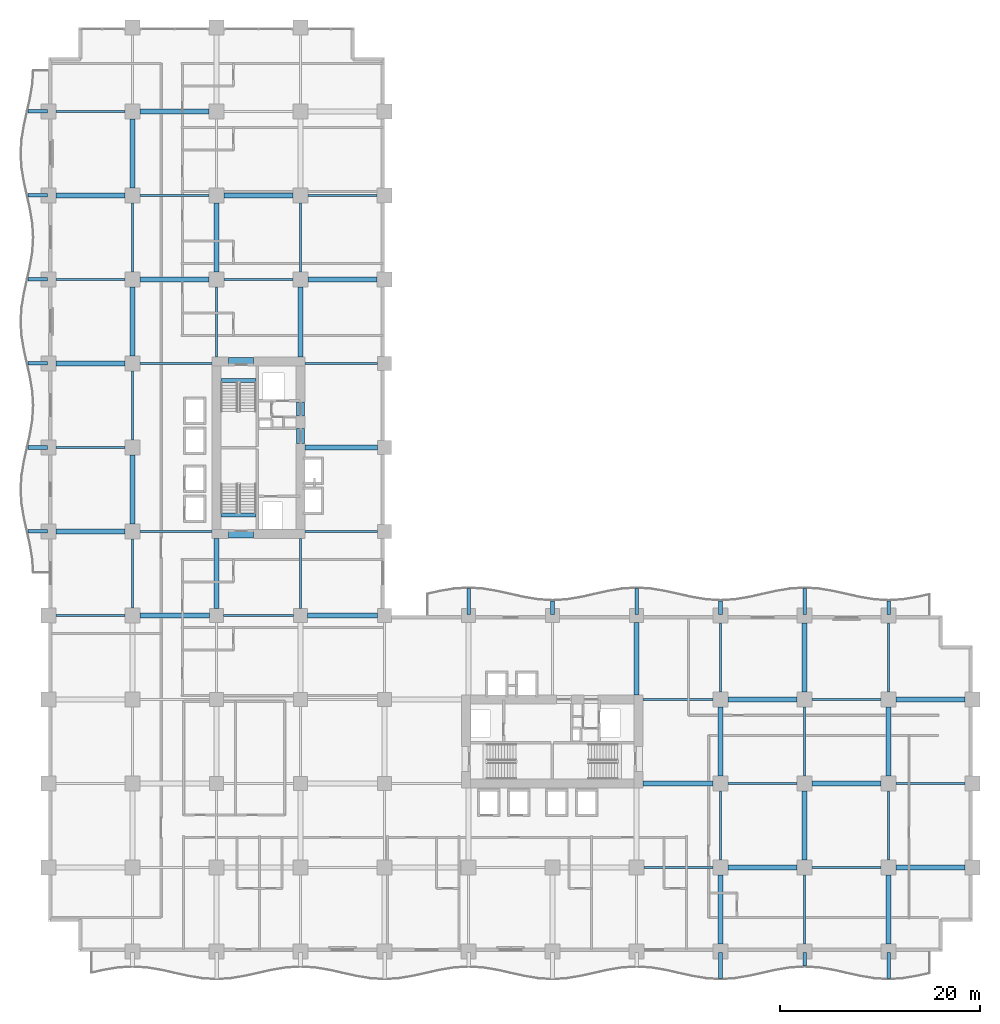
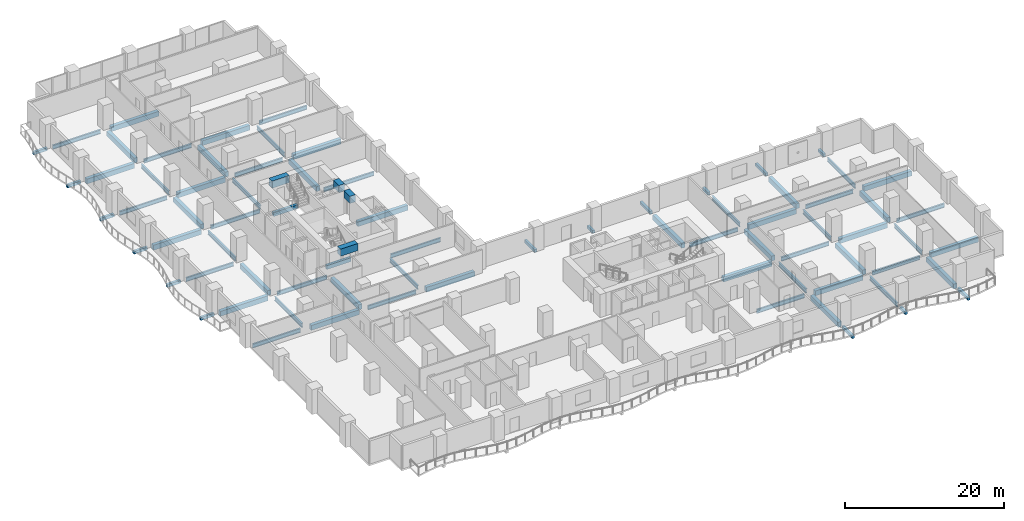
# One storey, part 2 of 22: 80 beams.
"""IFC4 building model written with IfcOpenShell, lengths in metres."""

from ifc_helpers import new_model, si_unit, direction, frame, origin, origin_2d, place, context, subcontext, project, spatial, rectangle, i_section, extrude, material, material_profile, profile_set, type_object, element, save


model = new_model("IFC4")

# Units and contexts
model_context = context("Model", 3, precision=1e-05, world=origin(), true_north=direction((0.0, 1.0)))
body_context = subcontext(model_context, "Body", "Model", "MODEL_VIEW")
ifc_project = project(units=[si_unit("LENGTHUNIT", "METRE"), si_unit("AREAUNIT", "SQUARE_METRE"), si_unit("VOLUMEUNIT", "CUBIC_METRE"), si_unit("PLANEANGLEUNIT", "RADIAN"), si_unit("MASSUNIT", "GRAM", prefix="KILO")], contexts=[model_context])

# Site, building, storey
site_placement = place(None, origin())
site = spatial("IfcSite", under=ifc_project, at=site_placement, CompositionType="ELEMENT")
building_placement = place(site_placement, origin())
building = spatial("IfcBuilding", under=site, at=building_placement, Name="Koriwani Terraces Tower", CompositionType="ELEMENT")
storey_placement = place(building_placement, frame((0.0, 0.0, 62.39990234375)))
storey = spatial("IfcBuildingStorey", under=building, at=storey_placement, Name="L14", CompositionType="ELEMENT", Elevation=62.39990234375)

# Beams
ifc_material_1 = material(Name="Concrete C40/50", Category="concrete")
ifc_material_profile_1 = material_profile(ifc_material_1, rectangle(XDim=0.35009765625, YDim=0.449951171875, at=origin_2d()), Name="Concrete C40/50", Category="LoadBearing")
ifc_profile_set_1 = profile_set([ifc_material_profile_1], Name="Concrete C40/50")
beam_type_1 = type_object("IfcBeamType", Name="BEAM_RC_BALCONY_RIB_350X450", PredefinedType="JOIST", material=ifc_profile_set_1)
beam_1_placement = place(storey_placement, frame((67.199951171875, -2.699951171875, -0.474853515625), z_axis=(0.0, 1.0, 0.0), x_axis=(-1.0, 0.0, 0.0)))
element("IfcBeam", 1, at=beam_1_placement, inside=storey, type_object=beam_type_1, Name="L14 Balcony Bracket Rib S-8", PredefinedType="JOIST", context=body_context, shape_type="SweptSolid", body=[
    extrude(rectangle(XDim=0.35009765625, YDim=0.449951171875, at=origin_2d()), origin(), (0.0, 0.0, 1.0), 2.599853515625),
])
beam_2_placement = place(storey_placement, frame((75.60009765625, -1.449951171875, -0.474853515625), z_axis=(0.0, 1.0, 0.0), x_axis=(-1.0, 0.0, 0.0)))
element("IfcBeam", 2, at=beam_2_placement, inside=storey, type_object=beam_type_1, Name="L14 Balcony Bracket Rib S-9", PredefinedType="JOIST", context=body_context, shape_type="SweptSolid", body=[
    extrude(rectangle(XDim=0.35009765625, YDim=0.449951171875, at=origin_2d()), origin(), (0.0, 0.0, 1.0), 1.349853515625),
])
beam_3_placement = place(storey_placement, frame((84.0, -2.699951171875, -0.474853515625), z_axis=(0.0, 1.0, 0.0), x_axis=(-1.0, 0.0, 0.0)))
element("IfcBeam", 3, at=beam_3_placement, inside=storey, type_object=beam_type_1, Name="L14 Balcony Bracket Rib S-10", PredefinedType="JOIST", context=body_context, shape_type="SweptSolid", body=[
    extrude(rectangle(XDim=0.35009765625, YDim=0.449951171875, at=origin_2d()), origin(), (0.0, 0.0, 1.0), 2.599853515625),
])
for number, where, z_axis, x_axis, name in (
    (4, (-2.074951171875, 42.0, -0.474853515625), (1.0, 0.0, 0.0), (0.0, 1.0, 0.0), "L14 Balcony Bracket Rib W-1"),
    (5, (-2.074951171875, 50.39990234375, -0.474853515625), (1.0, 0.0, 0.0), (0.0, 1.0, 0.0), "L14 Balcony Bracket Rib W-2"),
    (6, (-2.074951171875, 58.800048828125, -0.474853515625), (1.0, 0.0, 0.0), (0.0, 1.0, 0.0), "L14 Balcony Bracket Rib W-3"),
    (7, (-2.074951171875, 67.199951171875, -0.474853515625), (1.0, 0.0, 0.0), (0.0, 1.0, 0.0), "L14 Balcony Bracket Rib W-4"),
    (8, (-2.074951171875, 75.60009765625, -0.474853515625), (1.0, 0.0, 0.0), (0.0, 1.0, 0.0), "L14 Balcony Bracket Rib W-5"),
    (9, (-2.074951171875, 84.0, -0.474853515625), (1.0, 0.0, 0.0), (0.0, 1.0, 0.0), "L14 Balcony Bracket Rib W-6"),
):
    element("IfcBeam", number, at=place(storey_placement, frame(where, z_axis=z_axis, x_axis=x_axis)), inside=storey, type_object=beam_type_1, Name=name, PredefinedType="JOIST", context=body_context, shape_type="SweptSolid", body=[
        extrude(rectangle(XDim=0.35009765625, YDim=0.449951171875, at=origin_2d()), origin(), (0.0, 0.0, 1.0), 1.974853515625),
    ])
beam_4_placement = place(storey_placement, frame((42.0, 33.699951171875, -0.474853515625), z_axis=(0.0, 1.0, 0.0), x_axis=(-1.0, 0.0, 0.0)))
element("IfcBeam", 10, at=beam_4_placement, inside=storey, type_object=beam_type_1, Name="L14 Balcony Bracket Rib NE-1", PredefinedType="JOIST", context=body_context, shape_type="SweptSolid", body=[
    extrude(rectangle(XDim=0.35009765625, YDim=0.449951171875, at=origin_2d()), origin(), (0.0, 0.0, 1.0), 2.60009765625),
])
beam_5_placement = place(storey_placement, frame((50.39990234375, 33.699951171875, -0.474853515625), z_axis=(0.0, 1.0, 0.0), x_axis=(-1.0, 0.0, 0.0)))
element("IfcBeam", 11, at=beam_5_placement, inside=storey, type_object=beam_type_1, Name="L14 Balcony Bracket Rib NE-2", PredefinedType="JOIST", context=body_context, shape_type="SweptSolid", body=[
    extrude(rectangle(XDim=0.35009765625, YDim=0.449951171875, at=origin_2d()), origin(), (0.0, 0.0, 1.0), 1.35009765625),
])
beam_6_placement = place(storey_placement, frame((58.800048828125, 33.699951171875, -0.474853515625), z_axis=(0.0, 1.0, 0.0), x_axis=(-1.0, 0.0, 0.0)))
element("IfcBeam", 12, at=beam_6_placement, inside=storey, type_object=beam_type_1, Name="L14 Balcony Bracket Rib NE-3", PredefinedType="JOIST", context=body_context, shape_type="SweptSolid", body=[
    extrude(rectangle(XDim=0.35009765625, YDim=0.449951171875, at=origin_2d()), origin(), (0.0, 0.0, 1.0), 2.60009765625),
])
beam_7_placement = place(storey_placement, frame((67.199951171875, 33.699951171875, -0.474853515625), z_axis=(0.0, 1.0, 0.0), x_axis=(-1.0, 0.0, 0.0)))
element("IfcBeam", 13, at=beam_7_placement, inside=storey, type_object=beam_type_1, Name="L14 Balcony Bracket Rib NE-4", PredefinedType="JOIST", context=body_context, shape_type="SweptSolid", body=[
    extrude(rectangle(XDim=0.35009765625, YDim=0.449951171875, at=origin_2d()), origin(), (0.0, 0.0, 1.0), 1.35009765625),
])
beam_8_placement = place(storey_placement, frame((75.60009765625, 33.699951171875, -0.474853515625), z_axis=(0.0, 1.0, 0.0), x_axis=(-1.0, 0.0, 0.0)))
element("IfcBeam", 14, at=beam_8_placement, inside=storey, type_object=beam_type_1, Name="L14 Balcony Bracket Rib NE-5", PredefinedType="JOIST", context=body_context, shape_type="SweptSolid", body=[
    extrude(rectangle(XDim=0.35009765625, YDim=0.449951171875, at=origin_2d()), origin(), (0.0, 0.0, 1.0), 2.60009765625),
])
beam_9_placement = place(storey_placement, frame((84.0, 33.699951171875, -0.474853515625), z_axis=(0.0, 1.0, 0.0), x_axis=(-1.0, 0.0, 0.0)))
element("IfcBeam", 15, at=beam_9_placement, inside=storey, type_object=beam_type_1, Name="L14 Balcony Bracket Rib NE-6", PredefinedType="JOIST", context=body_context, shape_type="SweptSolid", body=[
    extrude(rectangle(XDim=0.35009765625, YDim=0.449951171875, at=origin_2d()), origin(), (0.0, 0.0, 1.0), 1.35009765625),
])
ifc_material_2 = material(Name="Concrete C60/75", Category="concrete")
ifc_material_profile_2 = material_profile(ifc_material_2, rectangle(XDim=0.800048828125, YDim=1.10009765625, at=origin_2d()), Name="Concrete C60/75", Category="LoadBearing")
ifc_profile_set_2 = profile_set([ifc_material_profile_2], Name="Concrete C60/75")
beam_type_2 = type_object("IfcBeamType", Name="BEAM_RC_COUPLING_800X1100", PredefinedType="LINTEL", material=ifc_profile_set_2)
beam_10_placement = place(storey_placement, frame((25.199951171875, 50.800048828125, 3.0), z_axis=(0.0, 1.0, 0.0), x_axis=(-1.0, 0.0, 0.0)))
element("IfcBeam", 16, at=beam_10_placement, inside=storey, type_object=beam_type_2, Name="L14 Core Coupling Lintel Beam WE1", PredefinedType="LINTEL", context=body_context, shape_type="SweptSolid", body=[
    extrude(rectangle(XDim=0.800048828125, YDim=1.10009765625, at=origin_2d()), origin(), (0.0, 0.0, 1.0), 1.47998046875),
])
beam_11_placement = place(storey_placement, frame((25.199951171875, 53.550048828125, 3.0), z_axis=(0.0, 1.0, 0.0), x_axis=(-1.0, 0.0, 0.0)))
element("IfcBeam", 17, at=beam_11_placement, inside=storey, type_object=beam_type_2, Name="L14 Core Coupling Lintel Beam WE2", PredefinedType="LINTEL", context=body_context, shape_type="SweptSolid", body=[
    extrude(rectangle(XDim=0.800048828125, YDim=1.10009765625, at=origin_2d()), origin(), (0.0, 0.0, 1.0), 1.39990234375),
])
for number, where, z_axis, x_axis, name in (
    (18, (18.0, 41.75, 3.0), (1.0, 0.0, 0.0), (0.0, 1.0, 0.0), "L14 Core Coupling Lintel Beam WS"),
    (19, (18.0, 59.0, 3.0), (1.0, 0.0, 0.0), (0.0, 1.0, 0.0), "L14 Core Coupling Lintel Beam WN"),
):
    element("IfcBeam", number, at=place(storey_placement, frame(where, z_axis=z_axis, x_axis=x_axis)), inside=storey, type_object=beam_type_2, Name=name, PredefinedType="LINTEL", context=body_context, shape_type="SweptSolid", body=[
        extrude(rectangle(XDim=0.800048828125, YDim=1.10009765625, at=origin_2d()), origin(), (0.0, 0.0, 1.0), 2.5),
    ])
ifc_material_profile_3 = material_profile(ifc_material_1, rectangle(XDim=0.39990234375, YDim=0.60009765625, at=origin_2d()), Name="Concrete C40/50", Category="LoadBearing")
ifc_profile_set_3 = profile_set([ifc_material_profile_3], Name="Concrete C40/50")
beam_type_3 = type_object("IfcBeamType", Name="BEAM_RC_GRID_400X600", PredefinedType="BEAM", material=ifc_profile_set_3)
for number, where, z_axis, x_axis, name in (
    (20, (17.25, 43.655029296875, -0.2998046875), (1.0, 0.0, 0.0), (0.0, 1.0, 0.0), "L14 Stairwell Header Trimmer Beam ST-W1"),
    (21, (17.25, 57.094970703125, -0.2998046875), (1.0, 0.0, 0.0), (0.0, 1.0, 0.0), "L14 Stairwell Header Trimmer Beam ST-W2"),
):
    element("IfcBeam", number, at=place(storey_placement, frame(where, z_axis=z_axis, x_axis=x_axis)), inside=storey, type_object=beam_type_3, Name=name, PredefinedType="BEAM", context=body_context, shape_type="SweptSolid", body=[
        extrude(rectangle(XDim=0.39990234375, YDim=0.60009765625, at=origin_2d()), origin(), (0.0, 0.0, 1.0), 3.5),
    ])
ifc_material_3 = material(Name="Concrete C50/60", Category="concrete")
ifc_material_profile_4 = material_profile(ifc_material_3, rectangle(XDim=0.5, YDim=0.75, at=origin_2d()), Name="Concrete C50/60", Category="LoadBearing")
ifc_profile_set_4 = profile_set([ifc_material_profile_4], Name="Concrete C50/60")
beam_type_4 = type_object("IfcBeamType", Name="BEAM_RC_GRID_500X750", PredefinedType="BEAM", material=ifc_profile_set_4)
beam_12_placement = place(storey_placement, frame((67.929931640625, 8.39990234375, -0.625), z_axis=(1.0, 0.0, 0.0), x_axis=(0.0, 1.0, 0.0)))
element("IfcBeam", 22, at=beam_12_placement, inside=storey, type_object=beam_type_4, Name="L14 Grid Beam B (67.2-75.6m)", PredefinedType="BEAM", context=body_context, shape_type="SweptSolid", body=[
    extrude(rectangle(XDim=0.5, YDim=0.75, at=origin_2d()), origin(), (0.0, 0.0, 1.0), 6.940185546875),
])
beam_13_placement = place(storey_placement, frame((84.72998046875, 8.39990234375, -0.625), z_axis=(1.0, 0.0, 0.0), x_axis=(0.0, 1.0, 0.0)))
element("IfcBeam", 23, at=beam_13_placement, inside=storey, type_object=beam_type_4, Name="L14 Grid Beam B (84.0-92.4m)", PredefinedType="BEAM", context=body_context, shape_type="SweptSolid", body=[
    extrude(rectangle(XDim=0.5, YDim=0.75, at=origin_2d()), origin(), (0.0, 0.0, 1.0), 6.93994140625),
])
beam_14_placement = place(storey_placement, frame((59.429931640625, 16.800048828125, -0.625), z_axis=(1.0, 0.0, 0.0), x_axis=(0.0, 1.0, 0.0)))
element("IfcBeam", 24, at=beam_14_placement, inside=storey, type_object=beam_type_4, Name="L14 Grid Beam C (58.8-67.2m)", PredefinedType="BEAM", context=body_context, shape_type="SweptSolid", body=[
    extrude(rectangle(XDim=0.5, YDim=0.75, at=origin_2d()), origin(), (0.0, 0.0, 1.0), 7.0400390625),
])
beam_15_placement = place(storey_placement, frame((76.330078125, 16.800048828125, -0.625), z_axis=(1.0, 0.0, 0.0), x_axis=(0.0, 1.0, 0.0)))
element("IfcBeam", 25, at=beam_15_placement, inside=storey, type_object=beam_type_4, Name="L14 Grid Beam C (75.6-84.0m)", PredefinedType="BEAM", context=body_context, shape_type="SweptSolid", body=[
    extrude(rectangle(XDim=0.5, YDim=0.75, at=origin_2d()), origin(), (0.0, 0.0, 1.0), 6.93994140625),
])
beam_16_placement = place(storey_placement, frame((67.929931640625, 25.199951171875, -0.625), z_axis=(1.0, 0.0, 0.0), x_axis=(0.0, 1.0, 0.0)))
element("IfcBeam", 26, at=beam_16_placement, inside=storey, type_object=beam_type_4, Name="L14 Grid Beam D (67.2-75.6m)", PredefinedType="BEAM", context=body_context, shape_type="SweptSolid", body=[
    extrude(rectangle(XDim=0.5, YDim=0.75, at=origin_2d()), origin(), (0.0, 0.0, 1.0), 6.940185546875),
])
beam_17_placement = place(storey_placement, frame((84.72998046875, 25.199951171875, -0.625), z_axis=(1.0, 0.0, 0.0), x_axis=(0.0, 1.0, 0.0)))
element("IfcBeam", 27, at=beam_17_placement, inside=storey, type_object=beam_type_4, Name="L14 Grid Beam D (84.0-92.4m)", PredefinedType="BEAM", context=body_context, shape_type="SweptSolid", body=[
    extrude(rectangle(XDim=0.5, YDim=0.75, at=origin_2d()), origin(), (0.0, 0.0, 1.0), 6.93994140625),
])
beam_18_placement = place(storey_placement, frame((9.1298828125, 33.60009765625, -0.625), z_axis=(1.0, 0.0, 0.0), x_axis=(0.0, 1.0, 0.0)))
element("IfcBeam", 28, at=beam_18_placement, inside=storey, type_object=beam_type_4, Name="L14 Grid Beam E (8.4-16.8m)", PredefinedType="BEAM", context=body_context, shape_type="SweptSolid", body=[
    extrude(rectangle(XDim=0.5, YDim=0.75, at=origin_2d()), origin(), (0.0, 0.0, 1.0), 6.990234375),
])
beam_19_placement = place(storey_placement, frame((25.8798828125, 33.60009765625, -0.625), z_axis=(1.0, 0.0, 0.0), x_axis=(0.0, 1.0, 0.0)))
element("IfcBeam", 29, at=beam_19_placement, inside=storey, type_object=beam_type_4, Name="L14 Grid Beam E (25.2-33.6m)", PredefinedType="BEAM", context=body_context, shape_type="SweptSolid", body=[
    extrude(rectangle(XDim=0.5, YDim=0.75, at=origin_2d()), origin(), (0.0, 0.0, 1.0), 7.0400390625),
])
beam_20_placement = place(storey_placement, frame((0.72998046875, 42.0, -0.625), z_axis=(1.0, 0.0, 0.0), x_axis=(0.0, 1.0, 0.0)))
element("IfcBeam", 30, at=beam_20_placement, inside=storey, type_object=beam_type_4, Name="L14 Grid Beam F (0.0-8.4m)", PredefinedType="BEAM", context=body_context, shape_type="SweptSolid", body=[
    extrude(rectangle(XDim=0.5, YDim=0.75, at=origin_2d()), origin(), (0.0, 0.0, 1.0), 6.93994140625),
])
beam_21_placement = place(storey_placement, frame((25.6298828125, 50.39990234375, -0.625), z_axis=(1.0, 0.0, 0.0), x_axis=(0.0, 1.0, 0.0)))
element("IfcBeam", 31, at=beam_21_placement, inside=storey, type_object=beam_type_4, Name="L14 Grid Beam G (25.2-33.6m)", PredefinedType="BEAM", context=body_context, shape_type="SweptSolid", body=[
    extrude(rectangle(XDim=0.5, YDim=0.75, at=origin_2d()), origin(), (0.0, 0.0, 1.0), 7.2900390625),
])
beam_22_placement = place(storey_placement, frame((0.72998046875, 58.800048828125, -0.625), z_axis=(1.0, 0.0, 0.0), x_axis=(0.0, 1.0, 0.0)))
element("IfcBeam", 32, at=beam_22_placement, inside=storey, type_object=beam_type_4, Name="L14 Grid Beam H (0.0-8.4m)", PredefinedType="BEAM", context=body_context, shape_type="SweptSolid", body=[
    extrude(rectangle(XDim=0.5, YDim=0.75, at=origin_2d()), origin(), (0.0, 0.0, 1.0), 6.93994140625),
])
for number, where, z_axis, x_axis, name in (
    (33, (9.1298828125, 67.199951171875, -0.625), (1.0, 0.0, 0.0), (0.0, 1.0, 0.0), "L14 Grid Beam I (8.4-16.8m)"),
    (34, (25.929931640625, 67.199951171875, -0.625), (1.0, 0.0, 0.0), (0.0, 1.0, 0.0), "L14 Grid Beam I (25.2-33.6m)"),
):
    element("IfcBeam", number, at=place(storey_placement, frame(where, z_axis=z_axis, x_axis=x_axis)), inside=storey, type_object=beam_type_4, Name=name, PredefinedType="BEAM", context=body_context, shape_type="SweptSolid", body=[
        extrude(rectangle(XDim=0.5, YDim=0.75, at=origin_2d()), origin(), (0.0, 0.0, 1.0), 6.940185546875),
    ])
for number, where, z_axis, x_axis, name in (
    (35, (0.72998046875, 75.60009765625, -0.625), (1.0, 0.0, 0.0), (0.0, 1.0, 0.0), "L14 Grid Beam J (0.0-8.4m)"),
    (36, (17.530029296875, 75.60009765625, -0.625), (1.0, 0.0, 0.0), (0.0, 1.0, 0.0), "L14 Grid Beam J (16.8-25.2m)"),
):
    element("IfcBeam", number, at=place(storey_placement, frame(where, z_axis=z_axis, x_axis=x_axis)), inside=storey, type_object=beam_type_4, Name=name, PredefinedType="BEAM", context=body_context, shape_type="SweptSolid", body=[
        extrude(rectangle(XDim=0.5, YDim=0.75, at=origin_2d()), origin(), (0.0, 0.0, 1.0), 6.93994140625),
    ])
beam_23_placement = place(storey_placement, frame((9.1298828125, 84.0, -0.625), z_axis=(1.0, 0.0, 0.0), x_axis=(0.0, 1.0, 0.0)))
element("IfcBeam", 37, at=beam_23_placement, inside=storey, type_object=beam_type_4, Name="L14 Grid Beam K (8.4-16.8m)", PredefinedType="BEAM", context=body_context, shape_type="SweptSolid", body=[
    extrude(rectangle(XDim=0.5, YDim=0.75, at=origin_2d()), origin(), (0.0, 0.0, 1.0), 6.940185546875),
])
for number, where, z_axis, x_axis, name in (
    (38, (8.39990234375, 42.72998046875, -0.625), (0.0, 1.0, 0.0), (-1.0, 0.0, 0.0), "L14 Grid Beam 2 (42.0-50.4m)"),
    (39, (8.39990234375, 59.530029296875, -0.625), (0.0, 1.0, 0.0), (-1.0, 0.0, 0.0), "L14 Grid Beam 2 (58.8-67.2m)"),
    (40, (8.39990234375, 76.330078125, -0.625), (0.0, 1.0, 0.0), (-1.0, 0.0, 0.0), "L14 Grid Beam 2 (75.6-84.0m)"),
):
    element("IfcBeam", number, at=place(storey_placement, frame(where, z_axis=z_axis, x_axis=x_axis)), inside=storey, type_object=beam_type_4, Name=name, PredefinedType="BEAM", context=body_context, shape_type="SweptSolid", body=[
        extrude(rectangle(XDim=0.5, YDim=0.75, at=origin_2d()), origin(), (0.0, 0.0, 1.0), 6.93994140625),
    ])
beam_24_placement = place(storey_placement, frame((16.800048828125, 34.280029296875, -0.625), z_axis=(0.0, 1.0, 0.0), x_axis=(-1.0, 0.0, 0.0)))
element("IfcBeam", 41, at=beam_24_placement, inside=storey, type_object=beam_type_4, Name="L14 Grid Beam 3 (33.6-42.0m)", PredefinedType="BEAM", context=body_context, shape_type="SweptSolid", body=[
    extrude(rectangle(XDim=0.5, YDim=0.75, at=origin_2d()), origin(), (0.0, 0.0, 1.0), 7.0400390625),
])
beam_25_placement = place(storey_placement, frame((16.800048828125, 67.929931640625, -0.625), z_axis=(0.0, 1.0, 0.0), x_axis=(-1.0, 0.0, 0.0)))
element("IfcBeam", 42, at=beam_25_placement, inside=storey, type_object=beam_type_4, Name="L14 Grid Beam 3 (67.2-75.6m)", PredefinedType="BEAM", context=body_context, shape_type="SweptSolid", body=[
    extrude(rectangle(XDim=0.5, YDim=0.75, at=origin_2d()), origin(), (0.0, 0.0, 1.0), 6.940185546875),
])
beam_26_placement = place(storey_placement, frame((25.199951171875, 59.429931640625, -0.625), z_axis=(0.0, 1.0, 0.0), x_axis=(-1.0, 0.0, 0.0)))
element("IfcBeam", 43, at=beam_26_placement, inside=storey, type_object=beam_type_4, Name="L14 Grid Beam 4 (58.8-67.2m)", PredefinedType="BEAM", context=body_context, shape_type="SweptSolid", body=[
    extrude(rectangle(XDim=0.5, YDim=0.75, at=origin_2d()), origin(), (0.0, 0.0, 1.0), 7.0400390625),
])
beam_27_placement = place(storey_placement, frame((58.800048828125, 25.6298828125, -0.625), z_axis=(0.0, 1.0, 0.0), x_axis=(-1.0, 0.0, 0.0)))
element("IfcBeam", 44, at=beam_27_placement, inside=storey, type_object=beam_type_4, Name="L14 Grid Beam 8 (25.2-33.6m)", PredefinedType="BEAM", context=body_context, shape_type="SweptSolid", body=[
    extrude(rectangle(XDim=0.5, YDim=0.75, at=origin_2d()), origin(), (0.0, 0.0, 1.0), 7.2900390625),
])
for number, where, z_axis, x_axis, name in (
    (45, (67.199951171875, 0.72998046875, -0.625), (0.0, 1.0, 0.0), (-1.0, 0.0, 0.0), "L14 Grid Beam 9 (0.0-8.4m)"),
    (46, (67.199951171875, 17.530029296875, -0.625), (0.0, 1.0, 0.0), (-1.0, 0.0, 0.0), "L14 Grid Beam 9 (16.8-25.2m)"),
):
    element("IfcBeam", number, at=place(storey_placement, frame(where, z_axis=z_axis, x_axis=x_axis)), inside=storey, type_object=beam_type_4, Name=name, PredefinedType="BEAM", context=body_context, shape_type="SweptSolid", body=[
        extrude(rectangle(XDim=0.5, YDim=0.75, at=origin_2d()), origin(), (0.0, 0.0, 1.0), 6.93994140625),
    ])
for number, where, z_axis, x_axis, name in (
    (47, (75.60009765625, 9.1298828125, -0.625), (0.0, 1.0, 0.0), (-1.0, 0.0, 0.0), "L14 Grid Beam 10 (8.4-16.8m)"),
    (48, (75.60009765625, 25.929931640625, -0.625), (0.0, 1.0, 0.0), (-1.0, 0.0, 0.0), "L14 Grid Beam 10 (25.2-33.6m)"),
):
    element("IfcBeam", number, at=place(storey_placement, frame(where, z_axis=z_axis, x_axis=x_axis)), inside=storey, type_object=beam_type_4, Name=name, PredefinedType="BEAM", context=body_context, shape_type="SweptSolid", body=[
        extrude(rectangle(XDim=0.5, YDim=0.75, at=origin_2d()), origin(), (0.0, 0.0, 1.0), 6.940185546875),
    ])
for number, where, z_axis, x_axis, name in (
    (49, (84.0, 0.72998046875, -0.625), (0.0, 1.0, 0.0), (-1.0, 0.0, 0.0), "L14 Grid Beam 11 (0.0-8.4m)"),
    (50, (84.0, 17.530029296875, -0.625), (0.0, 1.0, 0.0), (-1.0, 0.0, 0.0), "L14 Grid Beam 11 (16.8-25.2m)"),
):
    element("IfcBeam", number, at=place(storey_placement, frame(where, z_axis=z_axis, x_axis=x_axis)), inside=storey, type_object=beam_type_4, Name=name, PredefinedType="BEAM", context=body_context, shape_type="SweptSolid", body=[
        extrude(rectangle(XDim=0.5, YDim=0.75, at=origin_2d()), origin(), (0.0, 0.0, 1.0), 6.93994140625),
    ])
ifc_material_4 = material(Name="Steel ASTM A572 Grade 50", Category="steel")
ifc_material_profile_5 = material_profile(ifc_material_4, i_section(OverallWidth=0.23095703125, OverallDepth=0.616943359375, WebThickness=0.015380859375, FlangeThickness=0.0244140625, at=origin_2d()), Name="Steel ASTM A572 Grade 50", Category="LoadBearing")
ifc_profile_set_5 = profile_set([ifc_material_profile_5], Name="Steel ASTM A572 Grade 50")
beam_type_5 = type_object("IfcBeamType", Name="STEEL_BEAM_W610X195", PredefinedType="BEAM", material=ifc_profile_set_5)
for number, where, z_axis, x_axis, name in (
    (51, (59.530029296875, 8.39990234375, -0.558349609375), (1.0, 0.0, 0.0), (0.0, 1.0, 0.0), "L14 Grid Beam B (58.8-67.2m)"),
    (52, (76.330078125, 8.39990234375, -0.558349609375), (1.0, 0.0, 0.0), (0.0, 1.0, 0.0), "L14 Grid Beam B (75.6-84.0m)"),
):
    element("IfcBeam", number, at=place(storey_placement, frame(where, z_axis=z_axis, x_axis=x_axis)), inside=storey, type_object=beam_type_5, Name=name, PredefinedType="BEAM", context=body_context, shape_type="SweptSolid", body=[
        extrude(i_section(OverallWidth=0.23095703125, OverallDepth=0.616943359375, WebThickness=0.015380859375, FlangeThickness=0.0244140625, at=origin_2d()), origin(), (0.0, 0.0, 1.0), 6.93994140625),
    ])
beam_28_placement = place(storey_placement, frame((67.929931640625, 16.800048828125, -0.558349609375), z_axis=(1.0, 0.0, 0.0), x_axis=(0.0, 1.0, 0.0)))
element("IfcBeam", 53, at=beam_28_placement, inside=storey, type_object=beam_type_5, Name="L14 Grid Beam C (67.2-75.6m)", PredefinedType="BEAM", context=body_context, shape_type="SweptSolid", body=[
    extrude(i_section(OverallWidth=0.23095703125, OverallDepth=0.616943359375, WebThickness=0.015380859375, FlangeThickness=0.0244140625, at=origin_2d()), origin(), (0.0, 0.0, 1.0), 6.940185546875),
])
beam_29_placement = place(storey_placement, frame((84.72998046875, 16.800048828125, -0.558349609375), z_axis=(1.0, 0.0, 0.0), x_axis=(0.0, 1.0, 0.0)))
element("IfcBeam", 54, at=beam_29_placement, inside=storey, type_object=beam_type_5, Name="L14 Grid Beam C (84.0-92.4m)", PredefinedType="BEAM", context=body_context, shape_type="SweptSolid", body=[
    extrude(i_section(OverallWidth=0.23095703125, OverallDepth=0.616943359375, WebThickness=0.015380859375, FlangeThickness=0.0244140625, at=origin_2d()), origin(), (0.0, 0.0, 1.0), 6.93994140625),
])
beam_30_placement = place(storey_placement, frame((59.429931640625, 25.199951171875, -0.558349609375), z_axis=(1.0, 0.0, 0.0), x_axis=(0.0, 1.0, 0.0)))
element("IfcBeam", 55, at=beam_30_placement, inside=storey, type_object=beam_type_5, Name="L14 Grid Beam D (58.8-67.2m)", PredefinedType="BEAM", context=body_context, shape_type="SweptSolid", body=[
    extrude(i_section(OverallWidth=0.23095703125, OverallDepth=0.616943359375, WebThickness=0.015380859375, FlangeThickness=0.0244140625, at=origin_2d()), origin(), (0.0, 0.0, 1.0), 7.0400390625),
])
for number, where, z_axis, x_axis, name in (
    (56, (76.330078125, 25.199951171875, -0.558349609375), (1.0, 0.0, 0.0), (0.0, 1.0, 0.0), "L14 Grid Beam D (75.6-84.0m)"),
    (57, (0.72998046875, 33.60009765625, -0.558349609375), (1.0, 0.0, 0.0), (0.0, 1.0, 0.0), "L14 Grid Beam E (0.0-8.4m)"),
):
    element("IfcBeam", number, at=place(storey_placement, frame(where, z_axis=z_axis, x_axis=x_axis)), inside=storey, type_object=beam_type_5, Name=name, PredefinedType="BEAM", context=body_context, shape_type="SweptSolid", body=[
        extrude(i_section(OverallWidth=0.23095703125, OverallDepth=0.616943359375, WebThickness=0.015380859375, FlangeThickness=0.0244140625, at=origin_2d()), origin(), (0.0, 0.0, 1.0), 6.93994140625),
    ])
beam_31_placement = place(storey_placement, frame((17.47998046875, 33.60009765625, -0.558349609375), z_axis=(1.0, 0.0, 0.0), x_axis=(0.0, 1.0, 0.0)))
element("IfcBeam", 58, at=beam_31_placement, inside=storey, type_object=beam_type_5, Name="L14 Grid Beam E (16.8-25.2m)", PredefinedType="BEAM", context=body_context, shape_type="SweptSolid", body=[
    extrude(i_section(OverallWidth=0.23095703125, OverallDepth=0.616943359375, WebThickness=0.015380859375, FlangeThickness=0.0244140625, at=origin_2d()), origin(), (0.0, 0.0, 1.0), 7.0400390625),
])
beam_32_placement = place(storey_placement, frame((9.1298828125, 42.0, -0.558349609375), z_axis=(1.0, 0.0, 0.0), x_axis=(0.0, 1.0, 0.0)))
element("IfcBeam", 59, at=beam_32_placement, inside=storey, type_object=beam_type_5, Name="L14 Grid Beam F (8.4-16.8m)", PredefinedType="BEAM", context=body_context, shape_type="SweptSolid", body=[
    extrude(i_section(OverallWidth=0.23095703125, OverallDepth=0.616943359375, WebThickness=0.015380859375, FlangeThickness=0.0244140625, at=origin_2d()), origin(), (0.0, 0.0, 1.0), 7.240234375),
])
beam_33_placement = place(storey_placement, frame((25.6298828125, 42.0, -0.558349609375), z_axis=(1.0, 0.0, 0.0), x_axis=(0.0, 1.0, 0.0)))
element("IfcBeam", 60, at=beam_33_placement, inside=storey, type_object=beam_type_5, Name="L14 Grid Beam F (25.2-33.6m)", PredefinedType="BEAM", context=body_context, shape_type="SweptSolid", body=[
    extrude(i_section(OverallWidth=0.23095703125, OverallDepth=0.616943359375, WebThickness=0.015380859375, FlangeThickness=0.0244140625, at=origin_2d()), origin(), (0.0, 0.0, 1.0), 7.2900390625),
])
beam_34_placement = place(storey_placement, frame((0.72998046875, 50.39990234375, -0.558349609375), z_axis=(1.0, 0.0, 0.0), x_axis=(0.0, 1.0, 0.0)))
element("IfcBeam", 61, at=beam_34_placement, inside=storey, type_object=beam_type_5, Name="L14 Grid Beam G (0.0-8.4m)", PredefinedType="BEAM", context=body_context, shape_type="SweptSolid", body=[
    extrude(i_section(OverallWidth=0.23095703125, OverallDepth=0.616943359375, WebThickness=0.015380859375, FlangeThickness=0.0244140625, at=origin_2d()), origin(), (0.0, 0.0, 1.0), 6.93994140625),
])
beam_35_placement = place(storey_placement, frame((9.1298828125, 58.800048828125, -0.558349609375), z_axis=(1.0, 0.0, 0.0), x_axis=(0.0, 1.0, 0.0)))
element("IfcBeam", 62, at=beam_35_placement, inside=storey, type_object=beam_type_5, Name="L14 Grid Beam H (8.4-16.8m)", PredefinedType="BEAM", context=body_context, shape_type="SweptSolid", body=[
    extrude(i_section(OverallWidth=0.23095703125, OverallDepth=0.616943359375, WebThickness=0.015380859375, FlangeThickness=0.0244140625, at=origin_2d()), origin(), (0.0, 0.0, 1.0), 7.240234375),
])
beam_36_placement = place(storey_placement, frame((25.6298828125, 58.800048828125, -0.558349609375), z_axis=(1.0, 0.0, 0.0), x_axis=(0.0, 1.0, 0.0)))
element("IfcBeam", 63, at=beam_36_placement, inside=storey, type_object=beam_type_5, Name="L14 Grid Beam H (25.2-33.6m)", PredefinedType="BEAM", context=body_context, shape_type="SweptSolid", body=[
    extrude(i_section(OverallWidth=0.23095703125, OverallDepth=0.616943359375, WebThickness=0.015380859375, FlangeThickness=0.0244140625, at=origin_2d()), origin(), (0.0, 0.0, 1.0), 7.2900390625),
])
for number, where, z_axis, x_axis, name in (
    (64, (0.72998046875, 67.199951171875, -0.558349609375), (1.0, 0.0, 0.0), (0.0, 1.0, 0.0), "L14 Grid Beam I (0.0-8.4m)"),
    (65, (17.530029296875, 67.199951171875, -0.558349609375), (1.0, 0.0, 0.0), (0.0, 1.0, 0.0), "L14 Grid Beam I (16.8-25.2m)"),
):
    element("IfcBeam", number, at=place(storey_placement, frame(where, z_axis=z_axis, x_axis=x_axis)), inside=storey, type_object=beam_type_5, Name=name, PredefinedType="BEAM", context=body_context, shape_type="SweptSolid", body=[
        extrude(i_section(OverallWidth=0.23095703125, OverallDepth=0.616943359375, WebThickness=0.015380859375, FlangeThickness=0.0244140625, at=origin_2d()), origin(), (0.0, 0.0, 1.0), 6.93994140625),
    ])
for number, where, z_axis, x_axis, name in (
    (66, (9.1298828125, 75.60009765625, -0.558349609375), (1.0, 0.0, 0.0), (0.0, 1.0, 0.0), "L14 Grid Beam J (8.4-16.8m)"),
    (67, (25.929931640625, 75.60009765625, -0.558349609375), (1.0, 0.0, 0.0), (0.0, 1.0, 0.0), "L14 Grid Beam J (25.2-33.6m)"),
):
    element("IfcBeam", number, at=place(storey_placement, frame(where, z_axis=z_axis, x_axis=x_axis)), inside=storey, type_object=beam_type_5, Name=name, PredefinedType="BEAM", context=body_context, shape_type="SweptSolid", body=[
        extrude(i_section(OverallWidth=0.23095703125, OverallDepth=0.616943359375, WebThickness=0.015380859375, FlangeThickness=0.0244140625, at=origin_2d()), origin(), (0.0, 0.0, 1.0), 6.940185546875),
    ])
for number, where, z_axis, x_axis, name in (
    (68, (0.72998046875, 84.0, -0.558349609375), (1.0, 0.0, 0.0), (0.0, 1.0, 0.0), "L14 Grid Beam K (0.0-8.4m)"),
    (69, (8.39990234375, 34.330078125, -0.558349609375), (0.0, 1.0, 0.0), (-1.0, 0.0, 0.0), "L14 Grid Beam 2 (33.6-42.0m)"),
):
    element("IfcBeam", number, at=place(storey_placement, frame(where, z_axis=z_axis, x_axis=x_axis)), inside=storey, type_object=beam_type_5, Name=name, PredefinedType="BEAM", context=body_context, shape_type="SweptSolid", body=[
        extrude(i_section(OverallWidth=0.23095703125, OverallDepth=0.616943359375, WebThickness=0.015380859375, FlangeThickness=0.0244140625, at=origin_2d()), origin(), (0.0, 0.0, 1.0), 6.93994140625),
    ])
for number, where, z_axis, x_axis, name in (
    (70, (8.39990234375, 51.1298828125, -0.558349609375), (0.0, 1.0, 0.0), (-1.0, 0.0, 0.0), "L14 Grid Beam 2 (50.4-58.8m)"),
    (71, (8.39990234375, 67.929931640625, -0.558349609375), (0.0, 1.0, 0.0), (-1.0, 0.0, 0.0), "L14 Grid Beam 2 (67.2-75.6m)"),
):
    element("IfcBeam", number, at=place(storey_placement, frame(where, z_axis=z_axis, x_axis=x_axis)), inside=storey, type_object=beam_type_5, Name=name, PredefinedType="BEAM", context=body_context, shape_type="SweptSolid", body=[
        extrude(i_section(OverallWidth=0.23095703125, OverallDepth=0.616943359375, WebThickness=0.015380859375, FlangeThickness=0.0244140625, at=origin_2d()), origin(), (0.0, 0.0, 1.0), 6.940185546875),
    ])
for number, where, z_axis, x_axis, name in (
    (72, (16.800048828125, 59.429931640625, -0.558349609375), (0.0, 1.0, 0.0), (-1.0, 0.0, 0.0), "L14 Grid Beam 3 (58.8-67.2m)"),
    (73, (25.199951171875, 34.280029296875, -0.558349609375), (0.0, 1.0, 0.0), (-1.0, 0.0, 0.0), "L14 Grid Beam 4 (33.6-42.0m)"),
):
    element("IfcBeam", number, at=place(storey_placement, frame(where, z_axis=z_axis, x_axis=x_axis)), inside=storey, type_object=beam_type_5, Name=name, PredefinedType="BEAM", context=body_context, shape_type="SweptSolid", body=[
        extrude(i_section(OverallWidth=0.23095703125, OverallDepth=0.616943359375, WebThickness=0.015380859375, FlangeThickness=0.0244140625, at=origin_2d()), origin(), (0.0, 0.0, 1.0), 7.0400390625),
    ])
for number, where, z_axis, x_axis, name in (
    (74, (25.199951171875, 67.929931640625, -0.558349609375), (0.0, 1.0, 0.0), (-1.0, 0.0, 0.0), "L14 Grid Beam 4 (67.2-75.6m)"),
    (75, (67.199951171875, 9.1298828125, -0.558349609375), (0.0, 1.0, 0.0), (-1.0, 0.0, 0.0), "L14 Grid Beam 9 (8.4-16.8m)"),
    (76, (67.199951171875, 25.929931640625, -0.558349609375), (0.0, 1.0, 0.0), (-1.0, 0.0, 0.0), "L14 Grid Beam 9 (25.2-33.6m)"),
):
    element("IfcBeam", number, at=place(storey_placement, frame(where, z_axis=z_axis, x_axis=x_axis)), inside=storey, type_object=beam_type_5, Name=name, PredefinedType="BEAM", context=body_context, shape_type="SweptSolid", body=[
        extrude(i_section(OverallWidth=0.23095703125, OverallDepth=0.616943359375, WebThickness=0.015380859375, FlangeThickness=0.0244140625, at=origin_2d()), origin(), (0.0, 0.0, 1.0), 6.940185546875),
    ])
for number, where, z_axis, x_axis, name in (
    (77, (75.60009765625, 0.72998046875, -0.558349609375), (0.0, 1.0, 0.0), (-1.0, 0.0, 0.0), "L14 Grid Beam 10 (0.0-8.4m)"),
    (78, (75.60009765625, 17.530029296875, -0.558349609375), (0.0, 1.0, 0.0), (-1.0, 0.0, 0.0), "L14 Grid Beam 10 (16.8-25.2m)"),
):
    element("IfcBeam", number, at=place(storey_placement, frame(where, z_axis=z_axis, x_axis=x_axis)), inside=storey, type_object=beam_type_5, Name=name, PredefinedType="BEAM", context=body_context, shape_type="SweptSolid", body=[
        extrude(i_section(OverallWidth=0.23095703125, OverallDepth=0.616943359375, WebThickness=0.015380859375, FlangeThickness=0.0244140625, at=origin_2d()), origin(), (0.0, 0.0, 1.0), 6.93994140625),
    ])
for number, where, z_axis, x_axis, name in (
    (79, (84.0, 9.1298828125, -0.558349609375), (0.0, 1.0, 0.0), (-1.0, 0.0, 0.0), "L14 Grid Beam 11 (8.4-16.8m)"),
    (80, (84.0, 25.929931640625, -0.558349609375), (0.0, 1.0, 0.0), (-1.0, 0.0, 0.0), "L14 Grid Beam 11 (25.2-33.6m)"),
):
    element("IfcBeam", number, at=place(storey_placement, frame(where, z_axis=z_axis, x_axis=x_axis)), inside=storey, type_object=beam_type_5, Name=name, PredefinedType="BEAM", context=body_context, shape_type="SweptSolid", body=[
        extrude(i_section(OverallWidth=0.23095703125, OverallDepth=0.616943359375, WebThickness=0.015380859375, FlangeThickness=0.0244140625, at=origin_2d()), origin(), (0.0, 0.0, 1.0), 6.940185546875),
    ])

save(model, "model.ifc")
